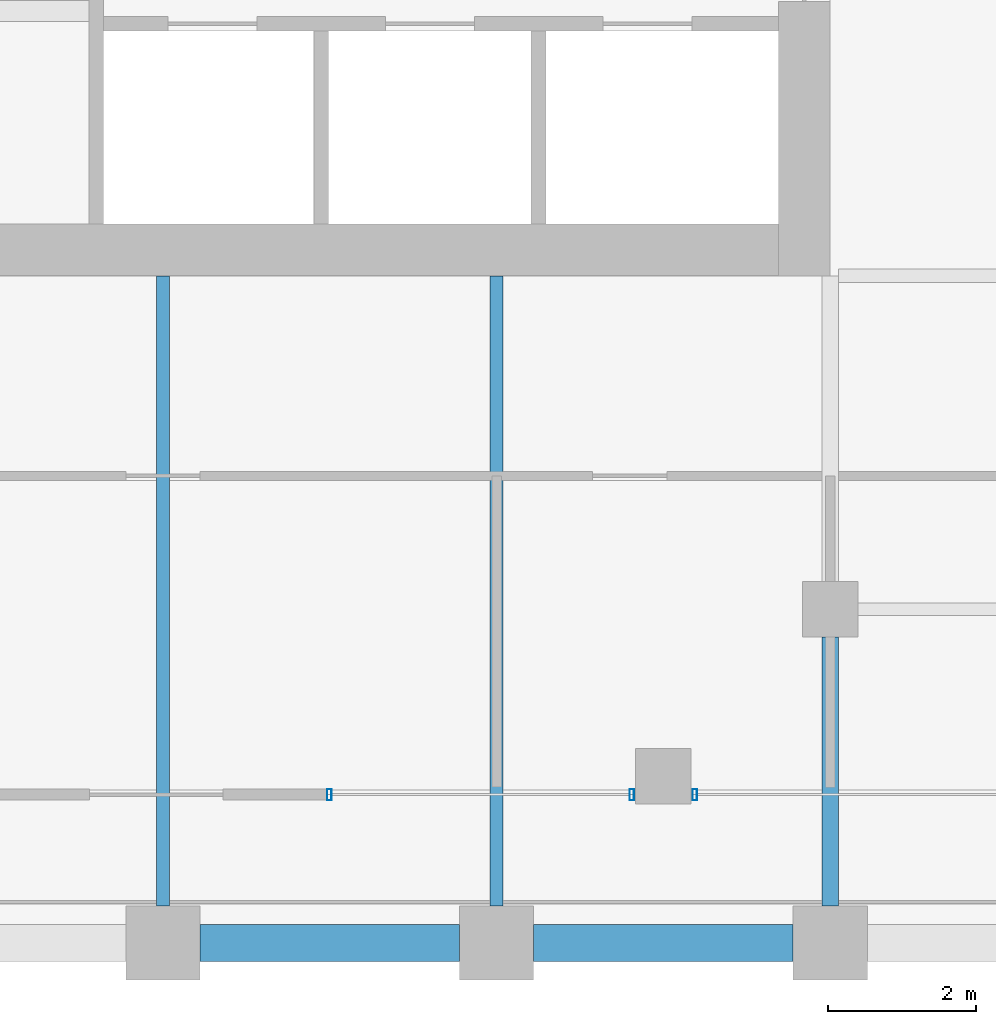
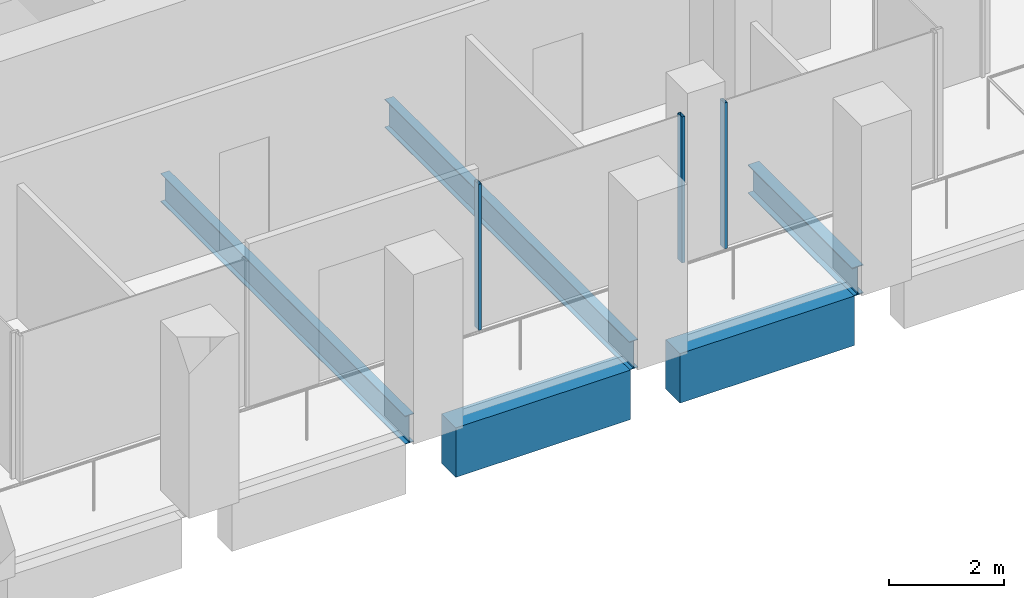
# One storey, part 31 of 47: 5 beams, 3 members, 2 elements without a shape of their own.
"""IFC4 building model written with IfcOpenShell, lengths in metres."""

from ifc_helpers import new_model, si_unit, direction, frame, origin, origin_2d, place, context, subcontext, project, spatial, rectangle, hollow_rectangle, i_section, extrude, material, material_profile, profile_set, type_object, element, aggregate, save


model = new_model("IFC4")

# Units and contexts
model_context = context("Model", 3, precision=1e-05, world=origin(), true_north=direction((0.0, 1.0)))
body_context = subcontext(model_context, "Body", "Model", "MODEL_VIEW")
ifc_project = project(units=[si_unit("LENGTHUNIT", "METRE"), si_unit("AREAUNIT", "SQUARE_METRE"), si_unit("VOLUMEUNIT", "CUBIC_METRE"), si_unit("PLANEANGLEUNIT", "RADIAN"), si_unit("MASSUNIT", "GRAM", prefix="KILO")], contexts=[model_context])

# Site, building, storey
site_placement = place(None, origin())
site = spatial("IfcSite", under=ifc_project, at=site_placement, CompositionType="ELEMENT")
building_placement = place(site_placement, origin())
building = spatial("IfcBuilding", under=site, at=building_placement, Name="Altepetl Exchange Towers", CompositionType="ELEMENT")
storey_placement = place(building_placement, frame((0.0, 0.0, 95.60009765625)))
storey = spatial("IfcBuildingStorey", under=building, at=storey_placement, Name="L23", CompositionType="ELEMENT", Elevation=95.60009765625)

# Beams
ifc_material_1 = material(Name="Steel S355", Category="steel")
ifc_material_profile_1 = material_profile(ifc_material_1, i_section(OverallWidth=0.177978515625, OverallDepth=0.59912109375, WebThickness=0.010009765625, FlangeThickness=0.0126953125, at=origin_2d()), Name="W24X55")
ifc_profile_set_1 = profile_set([ifc_material_profile_1], Name="Steel S355")
beam_type_1 = type_object("IfcBeamType", Name="Floor beam W24X55", PredefinedType="BEAM", material=ifc_profile_set_1)
for number, where, z_axis, x_axis, name in (
    (1, (108.0, 27.5, -0.44970703125), (0.0, 1.0, 0.0), (-1.0, 0.0, 0.0), "bm:B:L23:006"),
    (2, (112.5, 27.5, -0.44970703125), (0.0, 1.0, 0.0), (-1.0, 0.0, 0.0), "bm:B:L23:007"),
):
    element("IfcBeam", number, at=place(storey_placement, frame(where, z_axis=z_axis, x_axis=x_axis)), inside=storey, type_object=beam_type_1, Name=name, PredefinedType="BEAM", context=body_context, shape_type="SweptSolid", body=[
        extrude(i_section(OverallWidth=0.177978515625, OverallDepth=0.59912109375, WebThickness=0.010009765625, FlangeThickness=0.0126953125, at=origin_2d()), origin(), (0.0, 0.0, 1.0), 8.5),
    ])
ifc_material_profile_2 = material_profile(ifc_material_1, i_section(OverallWidth=0.22802734375, OverallDepth=0.60791015625, WebThickness=0.01123046875, FlangeThickness=0.017333984375, at=origin_2d()), Name="W24X76")
ifc_profile_set_2 = profile_set([ifc_material_profile_2], Name="Steel S355")
beam_type_2 = type_object("IfcBeamType", Name="Girder W24X76", PredefinedType="BEAM", material=ifc_profile_set_2)
beam_placement = place(storey_placement, frame((117.0, 31.125, -0.4541015625), z_axis=(0.0, -1.0, 0.0), x_axis=(1.0, 0.0, 0.0)))
element("IfcBeam", 3, at=beam_placement, inside=storey, type_object=beam_type_2, Name="gd:B:L23:001", PredefinedType="BEAM", context=body_context, shape_type="SweptSolid", body=[
    extrude(i_section(OverallWidth=0.22802734375, OverallDepth=0.60791015625, WebThickness=0.01123046875, FlangeThickness=0.017333984375, at=origin_2d()), origin(), (0.0, 0.0, 1.0), 3.625),
])

# Curtain wall, members
ifc_material_2 = material(Name="Aluminium 6063-T6 glazing", Category="aluminium")
curtain_wall_type = type_object("IfcCurtainWallType", Name="Loggia glazing system", PredefinedType="NOTDEFINED", material=ifc_material_2)
curtain_wall_1_placement = place(storey_placement, origin())
curtain_wall_1 = element("IfcCurtainWall", 4, at=curtain_wall_1_placement, inside=storey, type_object=curtain_wall_type, Name="CW1 run", PredefinedType="NOTDEFINED")
ifc_material_3 = material(Name="Aluminium 6063-T6", Category="aluminium")
ifc_material_profile_3 = material_profile(ifc_material_3, hollow_rectangle(XDim=0.06005859375, YDim=0.14990234375, WallThickness=0.0029296875, at=origin_2d()), Name="Mullion 60x150 aluminium")
ifc_profile_set_3 = profile_set([ifc_material_profile_3], Name="Aluminium 6063-T6")
member_type = type_object("IfcMemberType", Name="Mullion 60x150 aluminium", PredefinedType="MULLION", material=ifc_profile_set_3)
member_1_placement = place(storey_placement, frame((110.242431640625, 29.0, 0.0)))
member_1 = element("IfcMember", 5, at=member_1_placement, type_object=member_type, Name="MU1 mullion", PredefinedType="MULLION", context=body_context, shape_type="SweptSolid", body=[
    extrude(hollow_rectangle(XDim=0.06005859375, YDim=0.14990234375, WallThickness=0.0029296875, at=origin_2d()), origin(), (0.0, 0.0, 1.0), 3.099853515625),
])
member_2_placement = place(storey_placement, frame((114.324951171875, 29.0, 0.0)))
member_2 = element("IfcMember", 6, at=member_2_placement, type_object=member_type, Name="MU1 mullion", PredefinedType="MULLION", context=body_context, shape_type="SweptSolid", body=[
    extrude(hollow_rectangle(XDim=0.06005859375, YDim=0.14990234375, WallThickness=0.0029296875, at=origin_2d()), origin(), (0.0, 0.0, 1.0), 3.099853515625),
])
aggregate(curtain_wall_1, [member_1, member_2])

# Curtain wall, member
curtain_wall_2_placement = place(storey_placement, origin())
curtain_wall_2 = element("IfcCurtainWall", 7, at=curtain_wall_2_placement, inside=storey, type_object=curtain_wall_type, Name="CW1 run", PredefinedType="NOTDEFINED")
member_3_placement = place(storey_placement, frame((115.175048828125, 29.0, 0.0)))
member_3 = element("IfcMember", 8, at=member_3_placement, type_object=member_type, Name="MU1 mullion", PredefinedType="MULLION", context=body_context, shape_type="SweptSolid", body=[
    extrude(hollow_rectangle(XDim=0.06005859375, YDim=0.14990234375, WallThickness=0.0029296875, at=origin_2d()), origin(), (0.0, 0.0, 1.0), 3.099853515625),
])
aggregate(curtain_wall_2, [member_3])

# Beams
ifc_material_4 = material(Name="Concrete C50/60 precast with tezontle facing", Category="concrete")
ifc_material_profile_4 = material_profile(ifc_material_4, rectangle(XDim=0.5, YDim=1.050048828125, at=origin_2d()), Name="500 x 1050")
ifc_profile_set_4 = profile_set([ifc_material_profile_4], Name="Concrete C50/60 precast with tezontle facing")
beam_type_3 = type_object("IfcBeamType", Name="Spandrel beam 500x1050 tezontle", PredefinedType="SPANDREL", material=ifc_profile_set_4)
for number, where, z_axis, x_axis, name in (
    (9, (108.5, 27.0, -0.675048828125), (1.0, 0.0, 0.0), (0.0, 1.0, 0.0), "sp:B:L23:002"),
    (10, (113.0, 27.0, -0.675048828125), (1.0, 0.0, 0.0), (0.0, 1.0, 0.0), "sp:B:L23:003"),
):
    element("IfcBeam", number, at=place(storey_placement, frame(where, z_axis=z_axis, x_axis=x_axis)), inside=storey, type_object=beam_type_3, Name=name, PredefinedType="SPANDREL", context=body_context, shape_type="SweptSolid", body=[
        extrude(rectangle(XDim=0.5, YDim=1.050048828125, at=origin_2d()), origin(), (0.0, 0.0, 1.0), 3.5),
    ])

save(model, "model.ifc")
